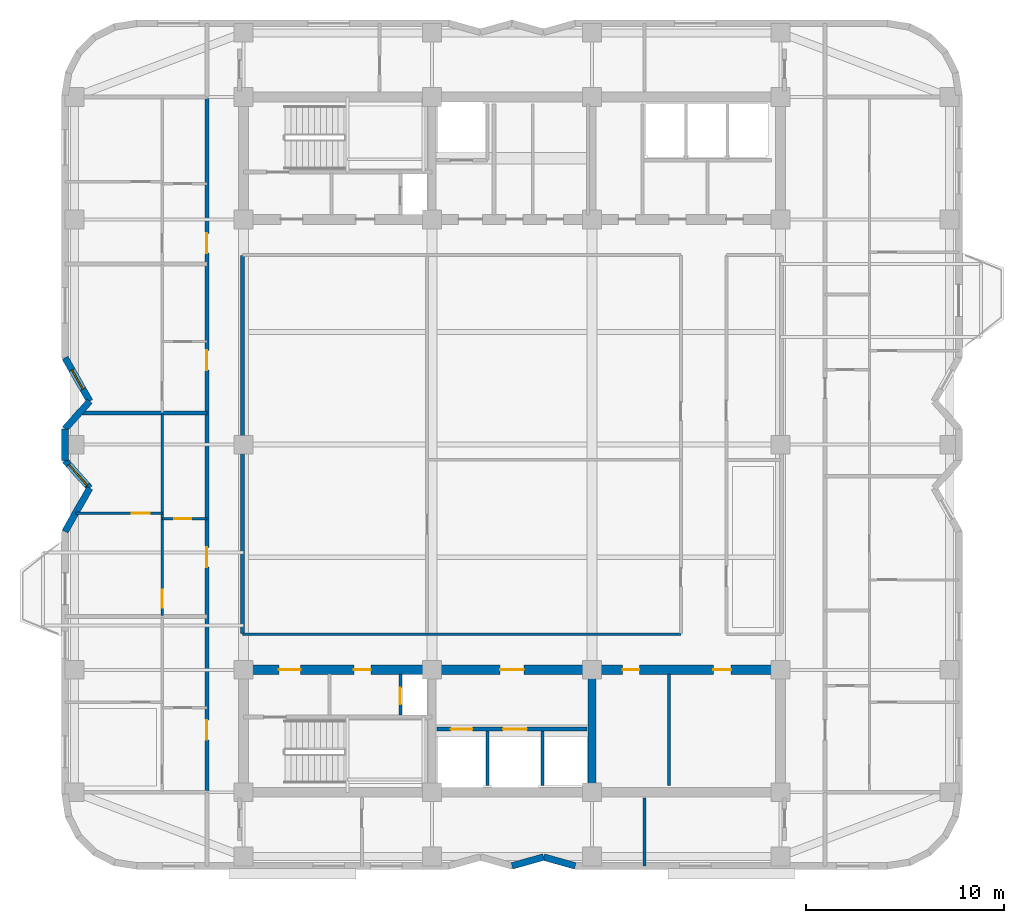
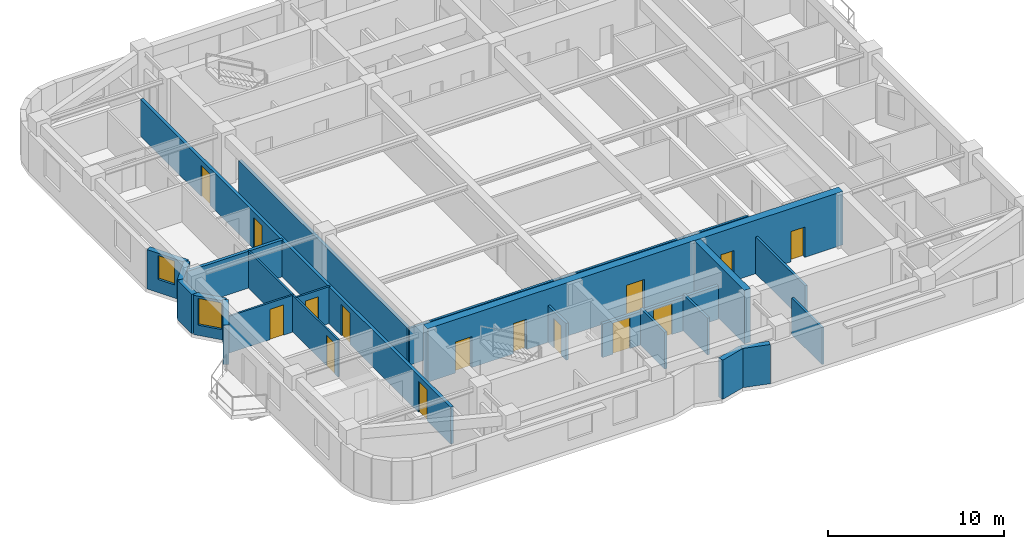
# One storey, part 3 of 9: 22 walls, 15 doors, 2 windows, 17 openings.
"""IFC4 building model written with IfcOpenShell, lengths in metres."""

from ifc_helpers import new_model, si_unit, direction, frame, frame_2d, origin, place, context, subcontext, project, spatial, rectangle, extrude, material, layer, layer_set, type_object, element, fill, save


model = new_model("IFC4")

# Units and contexts
model_context = context("Model", 3, precision=1e-05, world=origin(), true_north=direction((0.0, 1.0)))
body_context = subcontext(model_context, "Body", "Model", "MODEL_VIEW")
ifc_project = project(units=[si_unit("LENGTHUNIT", "METRE"), si_unit("AREAUNIT", "SQUARE_METRE"), si_unit("VOLUMEUNIT", "CUBIC_METRE"), si_unit("PLANEANGLEUNIT", "RADIAN"), si_unit("MASSUNIT", "GRAM", prefix="KILO")], contexts=[model_context])

# Site, building, storey
site_placement = place(None, origin())
site = spatial("IfcSite", under=ifc_project, at=site_placement, CompositionType="ELEMENT")
building_placement = place(site_placement, origin())
building = spatial("IfcBuilding", under=site, at=building_placement, Name="Svetorya Sky Lyceum", CompositionType="ELEMENT")
storey_placement = place(building_placement, frame((0.0, 0.0, 166.300048828125)))
storey = spatial("IfcBuildingStorey", under=building, at=storey_placement, Name="L41", CompositionType="ELEMENT", Elevation=166.300048828125)

# Wall
ifc_material_1 = material(Name="Concrete C40/50", Category="concrete")
ifc_layer_1 = layer(ifc_material_1, 0.39990234375)
ifc_layer_set_1 = layer_set([ifc_layer_1], Name="Concrete C40/50")
wall_type_1 = type_object("IfcWallType", Name="WL-CORE-400", PredefinedType="SHEAR", material=ifc_layer_set_1)
wall_1_placement = place(storey_placement, frame((43.25, 10.85009765625, 0.0), z_axis=(0.0, 0.0, 1.0), x_axis=(0.0, 1.0, 0.0)))
element("IfcWall", 1, at=wall_1_placement, inside=storey, type_object=wall_type_1, Name="L41 SC Internal Shear Web WEB2", PredefinedType="SHEAR", context=body_context, shape_type="SweptSolid", body=[
    extrude(rectangle(XDim=5.699951171875, YDim=0.39990234375, at=frame_2d((2.85009765625, 0.0))), origin(), (0.0, 0.0, 1.0), 3.699951171875),
])

# Wall, openings, doors
ifc_material_2 = material(Name="Concrete C50/60", Category="concrete")
ifc_layer_2 = layer(ifc_material_2, 0.5)
ifc_layer_set_2 = layer_set([ifc_layer_2], Name="Concrete C50/60")
wall_type_2 = type_object("IfcWallType", Name="WL-CORE-500", PredefinedType="SHEAR", material=ifc_layer_set_2)
wall_2_placement = place(storey_placement, frame((25.60009765625, 16.800048828125, 0.0), z_axis=(0.0, 0.0, 1.0), x_axis=(1.0, 0.0, 0.0)))
wall_2 = element("IfcWall", 2, at=wall_2_placement, inside=storey, type_object=wall_type_2, Name="L41 SC Inner Core Shear Wall", PredefinedType="SHEAR", context=body_context, shape_type="SweptSolid", body=[
    extrude(rectangle(XDim=27.199951171875, YDim=0.5, at=frame_2d((13.60009765625, 0.0))), origin(), (0.0, 0.0, 1.0), 3.699951171875),
])
opening_1_placement = place(wall_2_placement, frame((1.800048828125, 0.0, 0.0)))
opening_1 = element("IfcOpeningElement", 3, at=opening_1_placement, cuts=wall_2, Name="Opening D-ST1", PredefinedType="OPENING", context=body_context, shape_type="SweptSolid", body=[
    extrude(rectangle(XDim=1.10009765625, YDim=2.14990234375, at=frame_2d((0.550048828125, 1.074951171875))), frame((0.0, 0.260009765625, 0.0), z_axis=(0.0, -1.0, 0.0), x_axis=(1.0, 0.0, 0.0)), (0.0, 0.0, 1.0), 0.52001953125),
])
opening_2_placement = place(wall_2_placement, frame((5.60009765625, 0.0, 0.0)))
opening_2 = element("IfcOpeningElement", 4, at=opening_2_placement, cuts=wall_2, Name="Opening D-CWC1", PredefinedType="OPENING", context=body_context, shape_type="SweptSolid", body=[
    extrude(rectangle(XDim=0.85009765625, YDim=2.10009765625, at=frame_2d((0.425048828125, 1.050048828125))), frame((0.0, 0.260009765625, 0.0), z_axis=(0.0, -1.0, 0.0), x_axis=(1.0, 0.0, 0.0)), (0.0, 0.0, 1.0), 0.52001953125),
])
opening_3_placement = place(wall_2_placement, frame((13.0, 0.0, 0.0)))
opening_3 = element("IfcOpeningElement", 5, at=opening_3_placement, cuts=wall_2, Name="Opening D-FL1", PredefinedType="OPENING", context=body_context, shape_type="SweptSolid", body=[
    extrude(rectangle(XDim=1.199951171875, YDim=2.14990234375, at=frame_2d((0.60009765625, 1.074951171875))), frame((0.0, 0.260009765625, 0.0), z_axis=(0.0, -1.0, 0.0), x_axis=(1.0, 0.0, 0.0)), (0.0, 0.0, 1.0), 0.52001953125),
])
opening_4_placement = place(wall_2_placement, frame((19.199951171875, 0.0, 0.0)))
opening_4 = element("IfcOpeningElement", 6, at=opening_4_placement, cuts=wall_2, Name="Opening D-CWC1", PredefinedType="OPENING", context=body_context, shape_type="SweptSolid", body=[
    extrude(rectangle(XDim=0.85009765625, YDim=2.10009765625, at=frame_2d((0.425048828125, 1.050048828125))), frame((0.0, 0.260009765625, 0.0), z_axis=(0.0, -1.0, 0.0), x_axis=(1.0, 0.0, 0.0)), (0.0, 0.0, 1.0), 0.52001953125),
])
opening_5_placement = place(wall_2_placement, frame((23.800048828125, 0.0, 0.0)))
opening_5 = element("IfcOpeningElement", 7, at=opening_5_placement, cuts=wall_2, Name="Opening D-RM1", PredefinedType="OPENING", context=body_context, shape_type="SweptSolid", body=[
    extrude(rectangle(XDim=0.89990234375, YDim=2.10009765625, at=frame_2d((0.449951171875, 1.050048828125))), frame((0.0, 0.260009765625, 0.0), z_axis=(0.0, -1.0, 0.0), x_axis=(1.0, 0.0, 0.0)), (0.0, 0.0, 1.0), 0.52001953125),
])
ifc_material_3 = material(Name="Fire-rated galvanized steel core service closet door", Category="steel")
door_type_1 = type_object("IfcDoorType", Name="DR-CWET-850", OperationType="SINGLE_SWING_LEFT", PredefinedType="DOOR", material=ifc_material_3)
door_1_placement = place(opening_2_placement, origin())
door_1 = element("IfcDoor", 8, at=door_1_placement, inside=storey, type_object=door_type_1, Name="L41 South Hydrant Room Door", OperationType="SINGLE_SWING_LEFT", OverallHeight=2.10009765625, OverallWidth=0.85009765625, PredefinedType="DOOR", context=body_context, shape_type="SweptSolid", body=[
    extrude(rectangle(XDim=0.85009765625, YDim=2.10009765625, at=frame_2d((0.425048828125, 1.050048828125))), frame((0.0, 0.02490234375, 0.0), z_axis=(0.0, -1.0, 0.0), x_axis=(1.0, 0.0, 0.0)), (0.0, 0.0, 1.0), 0.050048828125),
])
fill(opening_2, door_1)
door_2_placement = place(opening_4_placement, origin())
door_2 = element("IfcDoor", 9, at=door_2_placement, inside=storey, type_object=door_type_1, Name="L41 Laundry Door", OperationType="SINGLE_SWING_RIGHT", OverallHeight=2.10009765625, OverallWidth=0.85009765625, PredefinedType="DOOR", context=body_context, shape_type="SweptSolid", body=[
    extrude(rectangle(XDim=0.85009765625, YDim=2.10009765625, at=frame_2d((0.425048828125, 1.050048828125))), frame((0.0, 0.02490234375, 0.0), z_axis=(0.0, -1.0, 0.0), x_axis=(1.0, 0.0, 0.0)), (0.0, 0.0, 1.0), 0.050048828125),
])
fill(opening_4, door_2)
ifc_material_4 = material(Name="Powder-coated insulated galvanized stair fire door")
door_type_2 = type_object("IfcDoorType", Name="DR-FIRE-1100", OperationType="SINGLE_SWING_LEFT", PredefinedType="DOOR", material=ifc_material_4)
door_3_placement = place(opening_1_placement, origin())
door_3 = element("IfcDoor", 10, at=door_3_placement, inside=storey, type_object=door_type_2, Name="L41 South Stair Airlock Door", OperationType="SINGLE_SWING_RIGHT", OverallHeight=2.14990234375, OverallWidth=1.10009765625, PredefinedType="DOOR", context=body_context, shape_type="SweptSolid", body=[
    extrude(rectangle(XDim=1.10009765625, YDim=2.14990234375, at=frame_2d((0.550048828125, 1.074951171875))), frame((0.0, 0.02490234375, 0.0), z_axis=(0.0, -1.0, 0.0), x_axis=(1.0, 0.0, 0.0)), (0.0, 0.0, 1.0), 0.050048828125),
])
fill(opening_1, door_3)
ifc_material_5 = material(Name="Powder-coated insulated galvanized fire door")
door_type_3 = type_object("IfcDoorType", Name="DR-FIRE-1200", OperationType="SINGLE_SWING_LEFT", PredefinedType="DOOR", material=ifc_material_5)
door_4_placement = place(opening_3_placement, origin())
door_4 = element("IfcDoor", 11, at=door_4_placement, inside=storey, type_object=door_type_3, Name="L41 South Firefighting Lift Lobby Door", OperationType="SINGLE_SWING_LEFT", OverallHeight=2.14990234375, OverallWidth=1.199951171875, PredefinedType="DOOR", context=body_context, shape_type="SweptSolid", body=[
    extrude(rectangle(XDim=1.199951171875, YDim=2.14990234375, at=frame_2d((0.60009765625, 1.074951171875))), frame((0.0, 0.02490234375, 0.0), z_axis=(0.0, -1.0, 0.0), x_axis=(1.0, 0.0, 0.0)), (0.0, 0.0, 1.0), 0.050048828125),
])
fill(opening_3, door_4)
ifc_material_6 = material(Name="Lacquered birch veneer internal door")
door_type_4 = type_object("IfcDoorType", Name="DR-INT-900", OperationType="SINGLE_SWING_LEFT", PredefinedType="DOOR", material=ifc_material_6)
door_5_placement = place(opening_5_placement, origin())
door_5 = element("IfcDoor", 12, at=door_5_placement, inside=storey, type_object=door_type_4, Name="L41 Pantry Door", OperationType="SINGLE_SWING_LEFT", OverallHeight=2.10009765625, OverallWidth=0.89990234375, PredefinedType="DOOR", context=body_context, shape_type="SweptSolid", body=[
    extrude(rectangle(XDim=0.89990234375, YDim=2.10009765625, at=frame_2d((0.449951171875, 1.050048828125))), frame((0.0, 0.02490234375, 0.0), z_axis=(0.0, -1.0, 0.0), x_axis=(1.0, 0.0, 0.0)), (0.0, 0.0, 1.0), 0.050048828125),
])
fill(opening_5, door_5)

# Walls
ifc_material_7 = material(Name="Putilovo limestone rainscreen on autoclaved cellular masonry", Category="masonry")
ifc_layer_3 = layer(ifc_material_7, 0.340087890625)
ifc_layer_set_3 = layer_set([ifc_layer_3], Name="Putilovo limestone rainscreen on autoclaved cellular masonry")
wall_type_3 = type_object("IfcWallType", Name="WL-EXT-340", PredefinedType="SOLIDWALL", material=ifc_layer_set_3)
wall_3_placement = place(storey_placement, frame((39.199951171875, 6.8701171875, 0.0), z_axis=(0.0, 0.0, 1.0), x_axis=(0.962662902433, 0.270703040766, 0.0)))
element("IfcWall", 13, at=wall_3_placement, inside=storey, type_object=wall_type_3, Name="L41 Limestone Exterior Wall 9M", PredefinedType="SOLIDWALL", context=body_context, shape_type="SweptSolid", body=[
    extrude(rectangle(XDim=1.662109375, YDim=0.340087890625, at=frame_2d((0.8310546875, 0.0))), origin(), (0.0, 0.0, 1.0), 2.719970703125),
])
wall_4_placement = place(storey_placement, frame((40.800048828125, 7.320068359375, 0.0), z_axis=(0.0, 0.0, 1.0), x_axis=(0.962652136636, -0.270741322725, 0.0)))
element("IfcWall", 14, at=wall_4_placement, inside=storey, type_object=wall_type_3, Name="L41 Limestone Exterior Wall 10M", PredefinedType="SOLIDWALL", context=body_context, shape_type="SweptSolid", body=[
    extrude(rectangle(XDim=1.661865234375, YDim=0.340087890625, at=frame_2d((0.8310546875, 0.0))), origin(), (0.0, 0.0, 1.0), 2.719970703125),
])

# Wall, opening, window
wall_5_placement = place(storey_placement, frame((16.570068359375, 32.60009765625, 0.0), z_axis=(0.0, 0.0, 1.0), x_axis=(0.493976255291, -0.869475393101, 0.0)))
wall_5 = element("IfcWall", 15, at=wall_5_placement, inside=storey, type_object=wall_type_3, Name="L41 Limestone Exterior Wall 41M", PredefinedType="SOLIDWALL", context=body_context, shape_type="SweptSolid", body=[
    extrude(rectangle(XDim=2.530517578125, YDim=0.340087890625, at=frame_2d((1.26513671875, 0.0))), origin(), (0.0, 0.0, 1.0), 2.719970703125),
])
opening_6_placement = place(wall_5_placement, frame((0.715087890625, 0.0, 0.909912109375)))
opening_6 = element("IfcOpeningElement", 16, at=opening_6_placement, cuts=wall_5, Name="Opening W-R3", PredefinedType="OPENING", context=body_context, shape_type="SweptSolid", body=[
    extrude(rectangle(XDim=1.10009765625, YDim=1.64990234375, at=frame_2d((0.550048828125, 0.824951171875))), frame((0.0, 0.179931640625, 0.0), z_axis=(0.0, -1.0, 0.0), x_axis=(1.0, 0.0, 0.0)), (0.0, 0.0, 1.0), 0.360107421875),
])
ifc_material_8 = material(Name="Thermally broken aluminium frame with triple low-E glazing", Category="aluminium")
window_type_1 = type_object("IfcWindowType", Name="WN-RES-110", PartitioningType="SINGLE_PANEL", PredefinedType="WINDOW", material=ifc_material_8)
window_1_placement = place(opening_6_placement, origin())
window_1 = element("IfcWindow", 17, at=window_1_placement, inside=storey, type_object=window_type_1, Name="L41 Facade Window W-R3.41M.1", OverallHeight=1.64990234375, OverallWidth=1.10009765625, PartitioningType="SINGLE_PANEL", PredefinedType="WINDOW", context=body_context, shape_type="SweptSolid", body=[
    extrude(rectangle(XDim=1.10009765625, YDim=1.64990234375, at=frame_2d((0.550048828125, 0.824951171875))), frame((0.0, 0.030029296875, 0.0), z_axis=(0.0, -1.0, 0.0), x_axis=(1.0, 0.0, 0.0)), (0.0, 0.0, 1.0), 0.06005859375),
])
fill(opening_6, window_1)

# Walls
wall_6_placement = place(storey_placement, frame((17.820068359375, 30.39990234375, 0.0), z_axis=(0.0, 0.0, 1.0), x_axis=(-0.666041619974, -0.74591457987, 0.0)))
element("IfcWall", 18, at=wall_6_placement, inside=storey, type_object=wall_type_3, Name="L41 Limestone Exterior Wall 42M", PredefinedType="SOLIDWALL", context=body_context, shape_type="SweptSolid", body=[
    extrude(rectangle(XDim=1.876708984375, YDim=0.340087890625, at=frame_2d((0.9384765625, 0.0))), origin(), (0.0, 0.0, 1.0), 2.719970703125),
])
wall_7_placement = place(storey_placement, frame((16.570068359375, 29.0, 0.0), z_axis=(0.0, 0.0, 1.0), x_axis=(0.0, -1.0, 0.0)))
element("IfcWall", 19, at=wall_7_placement, inside=storey, type_object=wall_type_3, Name="L41 Limestone Exterior Wall 43M", PredefinedType="SOLIDWALL", context=body_context, shape_type="SweptSolid", body=[
    extrude(rectangle(XDim=1.60009765625, YDim=0.340087890625, at=frame_2d((0.800048828125, 0.0))), origin(), (0.0, 0.0, 1.0), 2.719970703125),
])

# Wall, opening, window
wall_8_placement = place(storey_placement, frame((16.570068359375, 27.39990234375, 0.0), z_axis=(0.0, 0.0, 1.0), x_axis=(0.666041619974, -0.74591457987, 0.0)))
wall_8 = element("IfcWall", 20, at=wall_8_placement, inside=storey, type_object=wall_type_3, Name="L41 Limestone Exterior Wall 44M", PredefinedType="SOLIDWALL", context=body_context, shape_type="SweptSolid", body=[
    extrude(rectangle(XDim=1.876708984375, YDim=0.340087890625, at=frame_2d((0.9384765625, 0.0))), origin(), (0.0, 0.0, 1.0), 2.719970703125),
])
opening_7_placement = place(wall_8_placement, frame((0.280029296875, 0.0, 0.7099609375)))
opening_7 = element("IfcOpeningElement", 21, at=opening_7_placement, cuts=wall_8, Name="Opening W-R2", PredefinedType="OPENING", context=body_context, shape_type="SweptSolid", body=[
    extrude(rectangle(XDim=1.39990234375, YDim=1.85009765625, at=frame_2d((0.699951171875, 0.925048828125))), frame((0.0, 0.179931640625, 0.0), z_axis=(0.0, -1.0, 0.0), x_axis=(1.0, 0.0, 0.0)), (0.0, 0.0, 1.0), 0.360107421875),
])
window_type_2 = type_object("IfcWindowType", Name="WN-RES-140", PartitioningType="SINGLE_PANEL", PredefinedType="WINDOW", material=ifc_material_8)
window_2_placement = place(opening_7_placement, origin())
window_2 = element("IfcWindow", 22, at=window_2_placement, inside=storey, type_object=window_type_2, Name="L41 Facade Window W-R2.44M.1", OverallHeight=1.85009765625, OverallWidth=1.39990234375, PartitioningType="SINGLE_PANEL", PredefinedType="WINDOW", context=body_context, shape_type="SweptSolid", body=[
    extrude(rectangle(XDim=1.39990234375, YDim=1.85009765625, at=frame_2d((0.699951171875, 0.925048828125))), frame((0.0, 0.030029296875, 0.0), z_axis=(0.0, -1.0, 0.0), x_axis=(1.0, 0.0, 0.0)), (0.0, 0.0, 1.0), 0.06005859375),
])
fill(opening_7, window_2)

# Wall
wall_9_placement = place(storey_placement, frame((17.820068359375, 26.0, 0.0), z_axis=(0.0, 0.0, 1.0), x_axis=(-0.494017696272, -0.869451847873, 0.0)))
element("IfcWall", 23, at=wall_9_placement, inside=storey, type_object=wall_type_3, Name="L41 Limestone Exterior Wall 45M", PredefinedType="SOLIDWALL", context=body_context, shape_type="SweptSolid", body=[
    extrude(rectangle(XDim=2.5302734375, YDim=0.340087890625, at=frame_2d((1.26513671875, 0.0))), origin(), (0.0, 0.0, 1.0), 2.719970703125),
])

# Wall, opening, door
ifc_material_9 = material(Name="Twin-stud galvanized framing with double fireboard", Category="gypsum")
ifc_layer_4 = layer(ifc_material_9, 0.1201171875)
ifc_layer_set_4 = layer_set([ifc_layer_4], Name="Twin-stud galvanized framing with double fireboard")
wall_type_4 = type_object("IfcWallType", Name="WL-PART-120", PredefinedType="PARTITIONING", material=ifc_layer_set_4)
wall_10_placement = place(storey_placement, frame((21.5, 24.43994140625, 0.0), z_axis=(0.0, 0.0, 1.0), x_axis=(1.0, 0.0, 0.0)))
wall_10 = element("IfcWall", 24, at=wall_10_placement, inside=storey, type_object=wall_type_4, Name="L41 Interior Partition W2-WH1", PredefinedType="PARTITIONING", context=body_context, shape_type="SweptSolid", body=[
    extrude(rectangle(XDim=2.25, YDim=0.1201171875, at=frame_2d((1.125, 0.0))), origin(), (0.0, 0.0, 1.0), 2.550048828125),
])
opening_8_placement = place(wall_10_placement, frame((0.60009765625, 0.0, 0.0)))
opening_8 = element("IfcOpeningElement", 25, at=opening_8_placement, cuts=wall_10, Name="Opening D-BT1", PredefinedType="OPENING", context=body_context, shape_type="SweptSolid", body=[
    extrude(rectangle(XDim=0.85009765625, YDim=2.10009765625, at=frame_2d((0.425048828125, 1.050048828125))), frame((0.0, 0.070068359375, 0.0), z_axis=(0.0, -1.0, 0.0), x_axis=(1.0, 0.0, 0.0)), (0.0, 0.0, 1.0), 0.14013671875),
])
ifc_material_10 = material(Name="Moisture-resistant laminate bathroom door")
door_type_5 = type_object("IfcDoorType", Name="DR-WET-850", OperationType="SINGLE_SWING_LEFT", PredefinedType="DOOR", material=ifc_material_10)
door_6_placement = place(opening_8_placement, origin())
door_6 = element("IfcDoor", 26, at=door_6_placement, inside=storey, type_object=door_type_5, Name="Apartment W2 Bathroom Door", OperationType="SINGLE_SWING_RIGHT", OverallHeight=2.10009765625, OverallWidth=0.85009765625, PredefinedType="DOOR", context=body_context, shape_type="SweptSolid", body=[
    extrude(rectangle(XDim=0.85009765625, YDim=2.10009765625, at=frame_2d((0.425048828125, 1.050048828125))), frame((0.0, 0.02490234375, 0.0), z_axis=(0.0, -1.0, 0.0), x_axis=(1.0, 0.0, 0.0)), (0.0, 0.0, 1.0), 0.050048828125),
])
fill(opening_8, door_6)

wall_11_placement = place(storey_placement, frame((17.098388671875, 24.72998046875, 0.0), z_axis=(0.0, 0.0, 1.0), x_axis=(1.0, 0.0, 0.0)))
wall_11 = element("IfcWall", 27, at=wall_11_placement, inside=storey, type_object=wall_type_4, Name="L41 Interior Partition W2-WL1", PredefinedType="PARTITIONING", context=body_context, shape_type="SweptSolid", body=[
    extrude(rectangle(XDim=4.401611328125, YDim=0.1201171875, at=frame_2d((2.20068359375, 0.0))), origin(), (0.0, 0.0, 1.0), 2.550048828125),
])
opening_9_placement = place(wall_11_placement, frame((2.8515625, 0.0, 0.0)))
opening_9 = element("IfcOpeningElement", 28, at=opening_9_placement, cuts=wall_11, Name="Opening D-RM1", PredefinedType="OPENING", context=body_context, shape_type="SweptSolid", body=[
    extrude(rectangle(XDim=0.89990234375, YDim=2.10009765625, at=frame_2d((0.449951171875, 1.050048828125))), frame((0.0, 0.070068359375, 0.0), z_axis=(0.0, -1.0, 0.0), x_axis=(1.0, 0.0, 0.0)), (0.0, 0.0, 1.0), 0.14013671875),
])
door_7_placement = place(opening_9_placement, origin())
door_7 = element("IfcDoor", 29, at=door_7_placement, inside=storey, type_object=door_type_4, Name="Apartment W2 Bedroom 1 Door", OperationType="SINGLE_SWING_RIGHT", OverallHeight=2.10009765625, OverallWidth=0.89990234375, PredefinedType="DOOR", context=body_context, shape_type="SweptSolid", body=[
    extrude(rectangle(XDim=0.89990234375, YDim=2.10009765625, at=frame_2d((0.449951171875, 1.050048828125))), frame((0.0, 0.02490234375, 0.0), z_axis=(0.0, -1.0, 0.0), x_axis=(1.0, 0.0, 0.0)), (0.0, 0.0, 1.0), 0.050048828125),
])
fill(opening_9, door_7)

wall_12_placement = place(storey_placement, frame((21.5, 19.5400390625, 0.0), z_axis=(0.0, 0.0, 1.0), x_axis=(0.0, 1.0, 0.0)))
wall_12 = element("IfcWall", 30, at=wall_12_placement, inside=storey, type_object=wall_type_4, Name="L41 Interior Partition W2-WV", PredefinedType="PARTITIONING", context=body_context, shape_type="SweptSolid", body=[
    extrude(rectangle(XDim=10.219970703125, YDim=0.1201171875, at=frame_2d((5.10986328125, 0.0))), origin(), (0.0, 0.0, 1.0), 2.550048828125),
])
opening_10_placement = place(wall_12_placement, frame((0.409912109375, 0.0, 0.0)))
opening_10 = element("IfcOpeningElement", 31, at=opening_10_placement, cuts=wall_12, Name="Opening D-RM1", PredefinedType="OPENING", context=body_context, shape_type="SweptSolid", body=[
    extrude(rectangle(XDim=0.89990234375, YDim=2.10009765625, at=frame_2d((0.449951171875, 1.050048828125))), frame((0.0, 0.070068359375, 0.0), z_axis=(0.0, -1.0, 0.0), x_axis=(1.0, 0.0, 0.0)), (0.0, 0.0, 1.0), 0.14013671875),
])
door_8_placement = place(opening_10_placement, origin())
door_8 = element("IfcDoor", 32, at=door_8_placement, inside=storey, type_object=door_type_4, Name="Apartment W2 Living Door", OperationType="SINGLE_SWING_LEFT", OverallHeight=2.10009765625, OverallWidth=0.89990234375, PredefinedType="DOOR", context=body_context, shape_type="SweptSolid", body=[
    extrude(rectangle(XDim=0.89990234375, YDim=2.10009765625, at=frame_2d((0.449951171875, 1.050048828125))), frame((0.0, 0.02490234375, 0.0), z_axis=(0.0, -1.0, 0.0), x_axis=(1.0, 0.0, 0.0)), (0.0, 0.0, 1.0), 0.050048828125),
])
fill(opening_10, door_8)

ifc_material_11 = material(Name="Autoclaved cellular masonry blockwork with acoustic render", Category="masonry")
ifc_layer_5 = layer(ifc_material_11, 0.14990234375)
ifc_layer_set_5 = layer_set([ifc_layer_5], Name="Autoclaved cellular masonry blockwork with acoustic render")
wall_type_5 = type_object("IfcWallType", Name="WL-PART-150", PredefinedType="PARTITIONING", material=ifc_layer_set_5)
wall_13_placement = place(storey_placement, frame((33.550048828125, 14.5, 0.0), z_axis=(0.0, 0.0, 1.0), x_axis=(0.0, 1.0, 0.0)))
wall_13 = element("IfcWall", 33, at=wall_13_placement, inside=storey, type_object=wall_type_5, Name="L41 Interior Partition SC-SWD2", PredefinedType="PARTITIONING", context=body_context, shape_type="SweptSolid", body=[
    extrude(rectangle(XDim=2.080078125, YDim=0.14990234375, at=frame_2d((1.0400390625, 0.0))), origin(), (0.0, 0.0, 1.0), 2.550048828125),
])
opening_11_placement = place(wall_13_placement, frame((0.550048828125, 0.0, 0.0)))
opening_11 = element("IfcOpeningElement", 34, at=opening_11_placement, cuts=wall_13, Name="Opening D-SH1", PredefinedType="OPENING", context=body_context, shape_type="SweptSolid", body=[
    extrude(rectangle(XDim=0.85009765625, YDim=2.050048828125, at=frame_2d((0.425048828125, 1.02490234375))), frame((0.0, 0.0849609375, 0.0), z_axis=(0.0, -1.0, 0.0), x_axis=(1.0, 0.0, 0.0)), (0.0, 0.0, 1.0), 0.169921875),
])
ifc_material_12 = material(Name="Insulated galvanized riser inspection fire door")
door_type_6 = type_object("IfcDoorType", Name="DR-SHFT-850", OperationType="SINGLE_SWING_LEFT", PredefinedType="TRAPDOOR", material=ifc_material_12)
door_9_placement = place(opening_11_placement, origin())
door_9 = element("IfcDoor", 35, at=door_9_placement, inside=storey, type_object=door_type_6, Name="L41 South Riser Access Door", OperationType="SINGLE_SWING_RIGHT", OverallHeight=2.050048828125, OverallWidth=0.85009765625, PredefinedType="TRAPDOOR", context=body_context, shape_type="SweptSolid", body=[
    extrude(rectangle(XDim=0.85009765625, YDim=2.050048828125, at=frame_2d((0.425048828125, 1.02490234375))), frame((0.0, 0.02490234375, 0.0), z_axis=(0.0, -1.0, 0.0), x_axis=(1.0, 0.0, 0.0)), (0.0, 0.0, 1.0), 0.050048828125),
])
fill(opening_11, door_9)

# Walls
for number, where, z_axis, x_axis, name in (
    (36, (37.949951171875, 10.949951171875, 0.0), (0.0, 0.0, 1.0), (0.0, 1.0, 0.0), "L41 Interior Partition SC-SHD1"),
    (37, (40.75, 10.949951171875, 0.0), (0.0, 0.0, 1.0), (0.0, 1.0, 0.0), "L41 Interior Partition SC-SHD2"),
):
    element("IfcWall", number, at=place(storey_placement, frame(where, z_axis=z_axis, x_axis=x_axis)), inside=storey, type_object=wall_type_5, Name=name, PredefinedType="PARTITIONING", context=body_context, shape_type="SweptSolid", body=[
        extrude(rectangle(XDim=2.75, YDim=0.14990234375, at=frame_2d((1.375, 0.0))), origin(), (0.0, 0.0, 1.0), 2.550048828125),
    ])
wall_14_placement = place(storey_placement, frame((47.14990234375, 10.949951171875, 0.0), z_axis=(0.0, 0.0, 1.0), x_axis=(0.0, 1.0, 0.0)))
element("IfcWall", 38, at=wall_14_placement, inside=storey, type_object=wall_type_5, Name="L41 Interior Partition SC-LV7-VA", PredefinedType="PARTITIONING", context=body_context, shape_type="SweptSolid", body=[
    extrude(rectangle(XDim=5.630126953125, YDim=0.14990234375, at=frame_2d((2.81494140625, 0.0))), origin(), (0.0, 0.0, 1.0), 2.550048828125),
])
wall_15_placement = place(storey_placement, frame((25.550048828125, 18.60009765625, 0.0), z_axis=(0.0, 0.0, 1.0), x_axis=(1.0, 0.0, 0.0)))
element("IfcWall", 39, at=wall_15_placement, inside=storey, type_object=wall_type_5, Name="L41 Interior Partition OFF-CS-W", PredefinedType="PARTITIONING", context=body_context, shape_type="SweptSolid", body=[
    extrude(rectangle(XDim=22.199951171875, YDim=0.14990234375, at=frame_2d((11.10009765625, 0.0))), origin(), (0.0, 0.0, 1.0), 2.550048828125),
])
wall_16_placement = place(storey_placement, frame((45.89990234375, 6.8701171875, 0.0), z_axis=(0.0, 0.0, 1.0), x_axis=(0.0, 1.0, 0.0)))
element("IfcWall", 40, at=wall_16_placement, inside=storey, type_object=wall_type_5, Name="L41 Interior Partition S-D2", PredefinedType="PARTITIONING", context=body_context, shape_type="SweptSolid", body=[
    extrude(rectangle(XDim=3.429931640625, YDim=0.14990234375, at=frame_2d((1.71484375, 0.0))), origin(), (0.0, 0.0, 1.0), 2.550048828125),
])

# Wall, openings, doors
ifc_material_13 = material(Name="Autoclaved cellular masonry blockwork with gypsum plaster", Category="masonry")
ifc_layer_6 = layer(ifc_material_13, 0.199951171875)
ifc_layer_set_6 = layer_set([ifc_layer_6], Name="Autoclaved cellular masonry blockwork with gypsum plaster")
wall_type_6 = type_object("IfcWallType", Name="WL-PART-200", PredefinedType="PARTITIONING", material=ifc_layer_set_6)
wall_17_placement = place(storey_placement, frame((35.39990234375, 13.800048828125, 0.0), z_axis=(0.0, 0.0, 1.0), x_axis=(1.0, 0.0, 0.0)))
wall_17 = element("IfcWall", 41, at=wall_17_placement, inside=storey, type_object=wall_type_6, Name="L41 Interior Partition SC-FLW", PredefinedType="PARTITIONING", context=body_context, shape_type="SweptSolid", body=[
    extrude(rectangle(XDim=7.60009765625, YDim=0.199951171875, at=frame_2d((3.800048828125, 0.0))), origin(), (0.0, 0.0, 1.0), 2.320068359375),
])
opening_12_placement = place(wall_17_placement, frame((0.699951171875, 0.0, 0.0)))
opening_12 = element("IfcOpeningElement", 42, at=opening_12_placement, cuts=wall_17, Name="Opening LD-FL", PredefinedType="OPENING", context=body_context, shape_type="SweptSolid", body=[
    extrude(rectangle(XDim=1.10009765625, YDim=2.14990234375, at=frame_2d((0.550048828125, 1.074951171875))), frame((0.0, 0.10986328125, 0.0), z_axis=(0.0, -1.0, 0.0), x_axis=(1.0, 0.0, 0.0)), (0.0, 0.0, 1.0), 0.219970703125),
])
opening_13_placement = place(wall_17_placement, frame((3.35009765625, 0.0, 0.0)))
opening_13 = element("IfcOpeningElement", 43, at=opening_13_placement, cuts=wall_17, Name="Opening LD-SV", PredefinedType="OPENING", context=body_context, shape_type="SweptSolid", body=[
    extrude(rectangle(XDim=1.199951171875, YDim=2.14990234375, at=frame_2d((0.60009765625, 1.074951171875))), frame((0.0, 0.10986328125, 0.0), z_axis=(0.0, -1.0, 0.0), x_axis=(1.0, 0.0, 0.0)), (0.0, 0.0, 1.0), 0.219970703125),
])
ifc_material_14 = material(Name="Fire-rated stainless AISI 304 firefighting lift landing door")
door_type_7 = type_object("IfcDoorType", Name="DR-LIFT-1100", OperationType="SLIDING_TO_LEFT", PredefinedType="DOOR", material=ifc_material_14)
door_10_placement = place(opening_12_placement, origin())
door_10 = element("IfcDoor", 44, at=door_10_placement, inside=storey, type_object=door_type_7, Name="L41 Firefighting Lift FL2 Landing Door", OperationType="SLIDING_TO_LEFT", OverallHeight=2.14990234375, OverallWidth=1.10009765625, PredefinedType="DOOR", context=body_context, shape_type="SweptSolid", body=[
    extrude(rectangle(XDim=1.10009765625, YDim=2.14990234375, at=frame_2d((0.550048828125, 1.074951171875))), frame((0.0, 0.02490234375, 0.0), z_axis=(0.0, -1.0, 0.0), x_axis=(1.0, 0.0, 0.0)), (0.0, 0.0, 1.0), 0.050048828125),
])
fill(opening_12, door_10)
ifc_material_15 = material(Name="Brushed stainless AISI 304 telescopic lift landing door")
door_type_8 = type_object("IfcDoorType", Name="DR-LIFT-1200", OperationType="SLIDING_TO_LEFT", PredefinedType="DOOR", material=ifc_material_15)
door_11_placement = place(opening_13_placement, origin())
door_11 = element("IfcDoor", 45, at=door_11_placement, inside=storey, type_object=door_type_8, Name="L41 Service Lift SVL1 Landing Door", OperationType="SLIDING_TO_LEFT", OverallHeight=2.14990234375, OverallWidth=1.199951171875, PredefinedType="DOOR", context=body_context, shape_type="SweptSolid", body=[
    extrude(rectangle(XDim=1.199951171875, YDim=2.14990234375, at=frame_2d((0.60009765625, 1.074951171875))), frame((0.0, 0.02490234375, 0.0), z_axis=(0.0, -1.0, 0.0), x_axis=(1.0, 0.0, 0.0)), (0.0, 0.0, 1.0), 0.050048828125),
])
fill(opening_13, door_11)

# Walls
wall_18_placement = place(storey_placement, frame((25.550048828125, 18.6298828125, 0.0), z_axis=(0.0, 0.0, 1.0), x_axis=(0.0, 1.0, 0.0)))
element("IfcWall", 46, at=wall_18_placement, inside=storey, type_object=wall_type_6, Name="L41 Interior Partition W-CEN-SEP", PredefinedType="PARTITIONING", context=body_context, shape_type="SweptSolid", body=[
    extrude(rectangle(XDim=19.14013671875, YDim=0.199951171875, at=frame_2d((9.570068359375, 0.0))), origin(), (0.0, 0.0, 1.0), 2.550048828125),
])
wall_19_placement = place(storey_placement, frame((17.2841796875, 29.800048828125, 0.0), z_axis=(0.0, 0.0, 1.0), x_axis=(1.0, 0.0, 0.0)))
element("IfcWall", 47, at=wall_19_placement, inside=storey, type_object=wall_type_6, Name="L41 Interior Partition W-PARTY-2", PredefinedType="PARTITIONING", context=body_context, shape_type="SweptSolid", body=[
    extrude(rectangle(XDim=6.4658203125, YDim=0.199951171875, at=frame_2d((3.23291015625, 0.0))), origin(), (0.0, 0.0, 1.0), 2.550048828125),
])

# Wall, openings, doors
wall_20_placement = place(storey_placement, frame((23.75, 10.60009765625, 0.0), z_axis=(0.0, 0.0, 1.0), x_axis=(0.0, 1.0, 0.0)))
wall_20 = element("IfcWall", 48, at=wall_20_placement, inside=storey, type_object=wall_type_6, Name="L41 Interior Partition W-CORRW", PredefinedType="PARTITIONING", context=body_context, shape_type="SweptSolid", body=[
    extrude(rectangle(XDim=35.199951171875, YDim=0.199951171875, at=frame_2d((17.60009765625, 0.0))), origin(), (0.0, 0.0, 1.0), 2.550048828125),
])
opening_14_placement = place(wall_20_placement, frame((2.64990234375, 0.0, 0.0)))
opening_14 = element("IfcOpeningElement", 49, at=opening_14_placement, cuts=wall_20, Name="Opening D-APT1", PredefinedType="OPENING", context=body_context, shape_type="SweptSolid", body=[
    extrude(rectangle(XDim=1.0, YDim=2.14990234375, at=frame_2d((0.5, 1.074951171875))), frame((0.0, 0.10986328125, 0.0), z_axis=(0.0, -1.0, 0.0), x_axis=(1.0, 0.0, 0.0)), (0.0, 0.0, 1.0), 0.219970703125),
])
opening_15_placement = place(wall_20_placement, frame((11.39990234375, 0.0, 0.0)))
opening_15 = element("IfcOpeningElement", 50, at=opening_15_placement, cuts=wall_20, Name="Opening D-APT1", PredefinedType="OPENING", context=body_context, shape_type="SweptSolid", body=[
    extrude(rectangle(XDim=1.0, YDim=2.14990234375, at=frame_2d((0.5, 1.074951171875))), frame((0.0, 0.10986328125, 0.0), z_axis=(0.0, -1.0, 0.0), x_axis=(1.0, 0.0, 0.0)), (0.0, 0.0, 1.0), 0.219970703125),
])
opening_16_placement = place(wall_20_placement, frame((21.3701171875, 0.0, 0.0)))
opening_16 = element("IfcOpeningElement", 51, at=opening_16_placement, cuts=wall_20, Name="Opening D-APT1", PredefinedType="OPENING", context=body_context, shape_type="SweptSolid", body=[
    extrude(rectangle(XDim=1.0, YDim=2.14990234375, at=frame_2d((0.5, 1.074951171875))), frame((0.0, 0.10986328125, 0.0), z_axis=(0.0, -1.0, 0.0), x_axis=(1.0, 0.0, 0.0)), (0.0, 0.0, 1.0), 0.219970703125),
])
opening_17_placement = place(wall_20_placement, frame((27.302001953125, 0.0, 0.0)))
opening_17 = element("IfcOpeningElement", 52, at=opening_17_placement, cuts=wall_20, Name="Opening D-APT1", PredefinedType="OPENING", context=body_context, shape_type="SweptSolid", body=[
    extrude(rectangle(XDim=1.0, YDim=2.14990234375, at=frame_2d((0.5, 1.074951171875))), frame((0.0, 0.10986328125, 0.0), z_axis=(0.0, -1.0, 0.0), x_axis=(1.0, 0.0, 0.0)), (0.0, 0.0, 1.0), 0.219970703125),
])
ifc_material_16 = material(Name="Insulated oak-veneered apartment entrance door")
door_type_9 = type_object("IfcDoorType", Name="DR-APT-1000", OperationType="SINGLE_SWING_LEFT", PredefinedType="DOOR", material=ifc_material_16)
door_12_placement = place(opening_14_placement, origin())
door_12 = element("IfcDoor", 53, at=door_12_placement, inside=storey, type_object=door_type_9, Name="L41 Apartment W1 Entrance Door", OperationType="SINGLE_SWING_LEFT", OverallHeight=2.14990234375, OverallWidth=1.0, PredefinedType="DOOR", context=body_context, shape_type="SweptSolid", body=[
    extrude(rectangle(XDim=1.0, YDim=2.14990234375, at=frame_2d((0.5, 1.074951171875))), frame((0.0, 0.02490234375, 0.0), z_axis=(0.0, -1.0, 0.0), x_axis=(1.0, 0.0, 0.0)), (0.0, 0.0, 1.0), 0.050048828125),
])
fill(opening_14, door_12)
door_13_placement = place(opening_15_placement, origin())
door_13 = element("IfcDoor", 54, at=door_13_placement, inside=storey, type_object=door_type_9, Name="L41 Apartment W2 Entrance Door", OperationType="SINGLE_SWING_RIGHT", OverallHeight=2.14990234375, OverallWidth=1.0, PredefinedType="DOOR", context=body_context, shape_type="SweptSolid", body=[
    extrude(rectangle(XDim=1.0, YDim=2.14990234375, at=frame_2d((0.5, 1.074951171875))), frame((0.0, 0.02490234375, 0.0), z_axis=(0.0, -1.0, 0.0), x_axis=(1.0, 0.0, 0.0)), (0.0, 0.0, 1.0), 0.050048828125),
])
fill(opening_15, door_13)
door_14_placement = place(opening_16_placement, origin())
door_14 = element("IfcDoor", 55, at=door_14_placement, inside=storey, type_object=door_type_9, Name="L41 Apartment W3 Entrance Door", OperationType="SINGLE_SWING_LEFT", OverallHeight=2.14990234375, OverallWidth=1.0, PredefinedType="DOOR", context=body_context, shape_type="SweptSolid", body=[
    extrude(rectangle(XDim=1.0, YDim=2.14990234375, at=frame_2d((0.5, 1.074951171875))), frame((0.0, 0.02490234375, 0.0), z_axis=(0.0, -1.0, 0.0), x_axis=(1.0, 0.0, 0.0)), (0.0, 0.0, 1.0), 0.050048828125),
])
fill(opening_16, door_14)
door_15_placement = place(opening_17_placement, origin())
door_15 = element("IfcDoor", 56, at=door_15_placement, inside=storey, type_object=door_type_9, Name="L41 Apartment W4 Entrance Door", OperationType="SINGLE_SWING_RIGHT", OverallHeight=2.14990234375, OverallWidth=1.0, PredefinedType="DOOR", context=body_context, shape_type="SweptSolid", body=[
    extrude(rectangle(XDim=1.0, YDim=2.14990234375, at=frame_2d((0.5, 1.074951171875))), frame((0.0, 0.02490234375, 0.0), z_axis=(0.0, -1.0, 0.0), x_axis=(1.0, 0.0, 0.0)), (0.0, 0.0, 1.0), 0.050048828125),
])
fill(opening_17, door_15)

save(model, "model.ifc")
